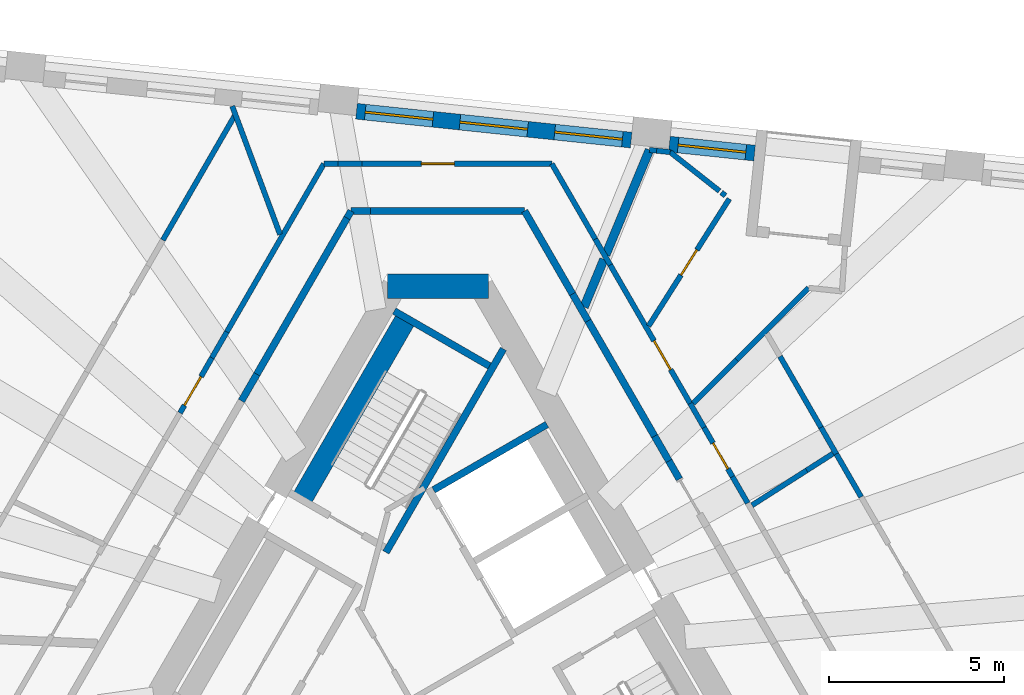
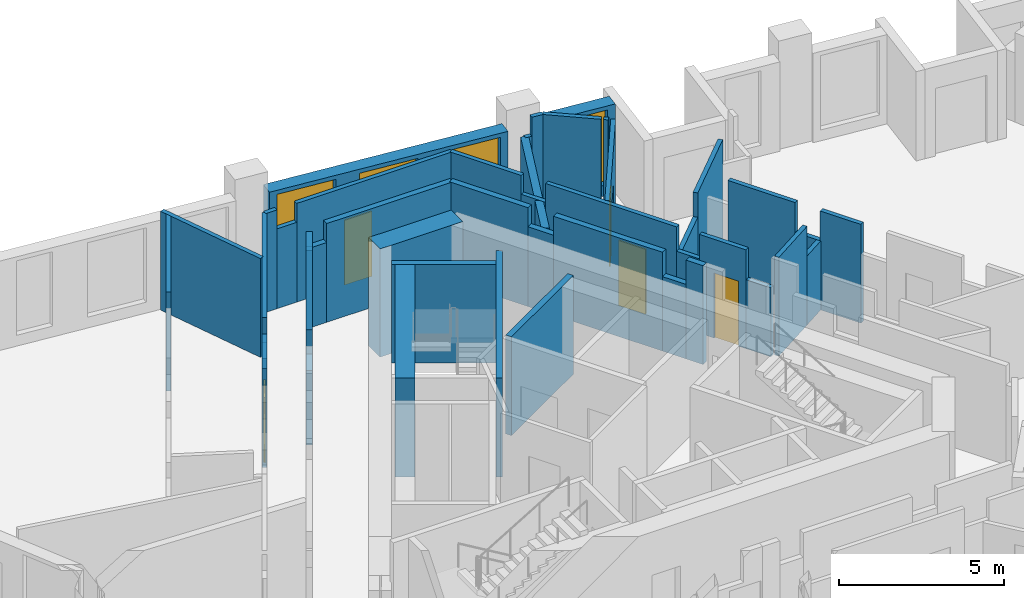
# One storey, part 7 of 11: 45 walls, 5 doors, 4 windows, 9 openings.
"""IFC4 building model written with IfcOpenShell, lengths in metres."""

import ifcopenshell
import ifcopenshell.guid

model = None  # the IFC model being written
_history = None  # IfcOwnerHistory: only IFC2X3 demands one
_inside = {}  # id of a spatial element -> (the spatial element, [elements in it])
_under = {}  # id of a project, library or spatial element -> (it, [spatial elements below it])
_declared = {}  # id of a project -> (the project, [libraries it declares])
_typed = {}  # id of a type object -> (the type object, [elements of that type])
_made_of = {}  # id of a material, layer set ... -> (it, [elements and type objects made of it])


def new_model(schema):
    """Start an empty IFC model of exactly this schema.

    Asked for "IFC4X3", IfcOpenShell would pick the latest addendum, in which some entities
    have other attributes; the version numbers below select the first issue.
    IFC2X3 requires an IfcOwnerHistory on every rooted entity: one is made here for all.
    """
    global model, _history
    if schema == "IFC4X3":
        model = ifcopenshell.file(schema_version=(4, 3, 0, 0))
    else:
        model = ifcopenshell.file(schema=schema)
    _inside.clear()
    _under.clear()
    _declared.clear()
    _typed.clear()
    _made_of.clear()
    _history = None
    if model.schema == "IFC2X3":
        org = make("IfcOrganization", Name="unknown")
        user = make(
            "IfcPersonAndOrganization",
            ThePerson=make("IfcPerson", FamilyName="unknown"),
            TheOrganization=org,
        )
        app = make(
            "IfcApplication",
            ApplicationDeveloper=org,
            Version="unknown",
            ApplicationFullName="unknown",
            ApplicationIdentifier="unknown",
        )
        _history = make(
            "IfcOwnerHistory",
            OwningUser=user,
            OwningApplication=app,
            ChangeAction="ADDED",
            CreationDate=0,
        )
    return model


def make(cls, **values):
    """One entity of the class cls with the attributes given. An attribute that is None is left unset."""
    return model.create_entity(
        cls, **{name: value for name, value in values.items() if value is not None}
    )


def rooted(cls, **values):
    """An entity with a GlobalId (a new one), such as an element, a storey or a relation."""
    return make(cls, GlobalId=ifcopenshell.guid.new(), OwnerHistory=_history, **values)


def si_unit(unit_type, name, prefix=None):
    """IfcSIUnit, for example si_unit("LENGTHUNIT", "METRE", prefix="MILLI")."""
    return make("IfcSIUnit", UnitType=unit_type, Prefix=prefix, Name=name)


def assignment(units):
    """IfcUnitAssignment: the units of a project."""
    return None if units is None else make("IfcUnitAssignment", Units=units)


def point(xyz):
    """IfcCartesianPoint."""
    return None if xyz is None else make("IfcCartesianPoint", Coordinates=xyz)


def direction(xyz):
    """IfcDirection."""
    return None if xyz is None else make("IfcDirection", DirectionRatios=xyz)


def frame(location, z_axis=None, x_axis=None):
    """IfcAxis2Placement3D, a coordinate frame: its origin and axes. An axis left out is left unset."""
    return make(
        "IfcAxis2Placement3D",
        Location=point(location),
        Axis=direction(z_axis),
        RefDirection=direction(x_axis),
    )


def frame_2d(location, x_axis=None):
    """IfcAxis2Placement2D, a coordinate frame in the plane: its origin and x axis."""
    return make(
        "IfcAxis2Placement2D", Location=point(location), RefDirection=direction(x_axis)
    )


def origin():
    """The frame at (0, 0, 0) with its axes left unset."""
    return frame((0.0, 0.0, 0.0))


def place(relative_to, where):
    """IfcLocalPlacement: puts the frame where relative to a parent placement (None: the world)."""
    return make(
        "IfcLocalPlacement", PlacementRelTo=relative_to, RelativePlacement=where
    )


def context(
    kind, dimensions, precision=None, world=None, true_north=None, identifier=None
):
    """IfcGeometricRepresentationContext, for example the 3D "Model" context."""
    return make(
        "IfcGeometricRepresentationContext",
        ContextIdentifier=identifier,
        ContextType=kind,
        CoordinateSpaceDimension=dimensions,
        Precision=precision,
        WorldCoordinateSystem=world,
        TrueNorth=true_north,
    )


def subcontext(parent, identifier, kind, view, scale=None):
    """IfcGeometricRepresentationSubContext, for example "Body" below "Model"."""
    return make(
        "IfcGeometricRepresentationSubContext",
        ContextIdentifier=identifier,
        ContextType=kind,
        ParentContext=parent,
        TargetScale=scale,
        TargetView=view,
    )


def project(units=None, contexts=None):
    """IfcProject with its units and contexts."""
    return rooted(
        "IfcProject",
        Name="project",
        RepresentationContexts=contexts,
        UnitsInContext=assignment(units),
    )


def spatial(cls, under=None, at=None, **own):
    """A site, building, storey or space (cls), placed at a placement, below another one or the project."""
    s = rooted(cls, ObjectPlacement=at, **own)
    if under is not None:
        _under.setdefault(under.id(), (under, []))[1].append(s)
    return s


def profile(cls, at=None, kind="AREA", **sizes):
    """A parametric profile (cls). Its sizes go by their IFC names, for example OverallWidth=200.0."""
    return make(cls, ProfileType=kind, Position=at, **sizes)


def rectangle(**sizes):
    """IfcRectangleProfileDef."""
    return profile("IfcRectangleProfileDef", **sizes)


def extrude(swept, where, along, depth):
    """IfcExtrudedAreaSolid: the profile swept, set in the frame where, extruded along a direction by depth."""
    return make(
        "IfcExtrudedAreaSolid",
        SweptArea=swept,
        Position=where,
        ExtrudedDirection=direction(along),
        Depth=depth,
    )


def shape(context_of_items, identifier, shape_type, items):
    """IfcShapeRepresentation: the items that make up one representation, for example the "Body"."""
    return make(
        "IfcShapeRepresentation",
        ContextOfItems=context_of_items,
        RepresentationIdentifier=identifier,
        RepresentationType=shape_type,
        Items=items,
    )


def material(Name=None, Category=None):
    """IfcMaterial."""
    return make("IfcMaterial", Name=Name, Category=Category)


def layer(
    of_material, thickness, ventilated=None, Name=None, Category=None, Priority=None
):
    """IfcMaterialLayer: one layer of a wall or slab, of a material (None: an air gap)."""
    return make(
        "IfcMaterialLayer",
        Material=of_material,
        LayerThickness=thickness,
        IsVentilated=ventilated,
        Name=Name,
        Category=Category,
        Priority=Priority,
    )


def layer_set(layers, Name=None):
    """IfcMaterialLayerSet."""
    return make("IfcMaterialLayerSet", MaterialLayers=layers, LayerSetName=Name)


def made_of(thing, what):
    """Note that an element or type object is made of a material, layer set ...; save() writes the relation."""
    if what is not None:
        _made_of.setdefault(what.id(), (what, []))[1].append(thing)
    return thing


def type_object(cls, material=None, **own):
    """A type object (cls), such as IfcWallType, which elements share."""
    return made_of(rooted(cls, **own), material)


def element(
    cls,
    number,
    at=None,
    inside=None,
    cuts=None,
    type_object=None,
    material=None,
    context=None,
    identifier="Body",
    shape_type=None,
    held_by="IfcProductDefinitionShape",
    body=None,
    shapes=None,
    **own,
):
    """One element of the class cls, such as IfcWall. Its Tag is "e" and its number.

    at: its placement. inside: the storey or other place that contains it. cuts: it is an
    opening in that element (IfcRelVoidsElement). A single representation is given by context,
    identifier, shape_type and body (its items); several are given by shapes. held_by: the class
    of the entity that holds the representations. save() writes the other relations.
    """
    e = rooted(cls, Tag="e%d" % number, ObjectPlacement=at, **own)
    if body is not None:
        shapes = [shape(context, identifier, shape_type, body)]
    if shapes is not None:
        e.Representation = make(held_by, Representations=shapes)
    if inside is not None:
        _inside.setdefault(inside.id(), (inside, []))[1].append(e)
    if cuts is not None:
        rooted(
            "IfcRelVoidsElement", RelatingBuildingElement=cuts, RelatedOpeningElement=e
        )
    if type_object is not None:
        _typed.setdefault(type_object.id(), (type_object, []))[1].append(e)
    return made_of(e, material)


def fill(opening, filler):
    """IfcRelFillsElement: the door or window that sits in an opening."""
    return rooted(
        "IfcRelFillsElement",
        RelatingOpeningElement=opening,
        RelatedBuildingElement=filler,
    )


def aggregate(whole, parts):
    """IfcRelAggregates: a whole, such as a stair, and the parts it consists of."""
    return rooted("IfcRelAggregates", RelatingObject=whole, RelatedObjects=parts)


def save(model, path):
    """Write the relations noted so far, then the file.

    IfcRelAggregates (storeys below a building ...), IfcRelContainedInSpatialStructure (elements
    in a storey), IfcRelDefinesByType, IfcRelAssociatesMaterial and IfcRelDeclares: one each for
    every whole, place, type object, material and project.
    """
    for whole, parts in _under.values():
        aggregate(whole, parts)
    for where, things in _inside.values():
        rooted(
            "IfcRelContainedInSpatialStructure",
            RelatedElements=things,
            RelatingStructure=where,
        )
    for kind, things in _typed.values():
        rooted("IfcRelDefinesByType", RelatedObjects=things, RelatingType=kind)
    for what, things in _made_of.values():
        rooted("IfcRelAssociatesMaterial", RelatedObjects=things, RelatingMaterial=what)
    for by, libraries in _declared.values():
        rooted("IfcRelDeclares", RelatingContext=by, RelatedDefinitions=libraries)
    model.write(path)


model = new_model("IFC4")

# Units and contexts
model_context = context("Model", 3, precision=1e-05, world=origin(), true_north=direction((0.0, 1.0)))
body_context = subcontext(model_context, "Body", "Model", "MODEL_VIEW")
ifc_project = project(units=[si_unit("LENGTHUNIT", "METRE"), si_unit("AREAUNIT", "SQUARE_METRE"), si_unit("VOLUMEUNIT", "CUBIC_METRE"), si_unit("PLANEANGLEUNIT", "RADIAN"), si_unit("MASSUNIT", "GRAM", prefix="KILO")], contexts=[model_context])

# Site, building, storey
site_placement = place(None, origin())
site = spatial("IfcSite", under=ifc_project, at=site_placement, CompositionType="ELEMENT")
building_placement = place(site_placement, origin())
building = spatial("IfcBuilding", under=site, at=building_placement, Name="Tramontana Tower", CompositionType="ELEMENT")
storey_placement = place(building_placement, frame((0.0, 0.0, 261.199951171875)))
storey = spatial("IfcBuildingStorey", under=building, at=storey_placement, Name="L61", CompositionType="ELEMENT", Elevation=261.199951171875)

# Walls
ifc_material_1 = material(Name="Concrete 70 MPa", Category="concrete")
ifc_layer_1 = layer(ifc_material_1, 0.699951171875)
ifc_layer_set_1 = layer_set([ifc_layer_1], Name="Core wall 700 70 MPa")
wall_type_1 = type_object("IfcWallType", Name="Core wall 700 70 MPa", PredefinedType="SHEAR", material=ifc_layer_set_1)
wall_1_placement = place(storey_placement, frame((1.443359375, 10.64990234375, 0.0), z_axis=(0.0, 0.0, 1.0), x_axis=(-1.0, 0.0, 0.0)))
element("IfcWall", 1, at=wall_1_placement, inside=storey, type_object=wall_type_1, Name="Core wall C0 L61", PredefinedType="SHEAR", context=body_context, shape_type="SweptSolid", body=[
    extrude(rectangle(XDim=2.88671875, YDim=0.699951171875, at=frame_2d((1.443359375, 0.0))), origin(), (0.0, 0.0, 1.0), 4.0),
])
ifc_material_2 = material(Name="Blockwork", Category="masonry")
ifc_layer_2 = layer(ifc_material_2, 0.199951171875)
ifc_layer_set_2 = layer_set([ifc_layer_2], Name="ENTRY WALL 200")
wall_type_2 = type_object("IfcWallType", Name="ENTRY WALL 200", PredefinedType="SOLIDWALL", material=ifc_layer_set_2)
wall_2_placement = place(storey_placement, frame((-5.622314453125, 7.362060546875, 0.0), z_axis=(0.0, 0.0, 1.0), x_axis=(0.500121072013, 0.86595549154, 0.0)))
element("IfcWall", 2, at=wall_2_placement, inside=storey, type_object=wall_type_2, Name="Wall v62-ew3-9", PredefinedType="SOLIDWALL", context=body_context, shape_type="SweptSolid", body=[
    extrude(rectangle(XDim=0.883544921875, YDim=0.199951171875, at=frame_2d((0.44189453125, 0.0))), origin(), (0.0, 0.0, 1.0), 2.75),
])
wall_3_placement = place(storey_placement, frame((-5.180419921875, 8.127197265625, 0.0), z_axis=(0.0, 0.0, 1.0), x_axis=(0.499995433041, 0.866028040503, 0.0)))
element("IfcWall", 3, at=wall_3_placement, inside=storey, type_object=wall_type_2, Name="Wall v62-ew3-10", PredefinedType="SOLIDWALL", context=body_context, shape_type="SweptSolid", body=[
    extrude(rectangle(XDim=5.1611328125, YDim=0.199951171875, at=frame_2d((2.58056640625, 0.0))), origin(), (0.0, 0.0, 1.0), 3.650146484375),
])
wall_4_placement = place(storey_placement, frame((-2.599853515625, 12.596923828125, 0.0), z_axis=(0.0, 0.0, 1.0), x_axis=(0.49972245349, 0.866185586049, 0.0)))
element("IfcWall", 4, at=wall_4_placement, inside=storey, type_object=wall_type_2, Name="Wall v62-ew3-11", PredefinedType="SOLIDWALL", context=body_context, shape_type="SweptSolid", body=[
    extrude(rectangle(XDim=0.234619140625, YDim=0.199951171875, at=frame_2d((0.1171875, 0.0))), origin(), (0.0, 0.0, 1.0), 2.949951171875),
])
wall_5_placement = place(storey_placement, frame((-2.482666015625, 12.800048828125, 0.0), z_axis=(0.0, 0.0, 1.0), x_axis=(1.0, 0.0, 0.0)))
element("IfcWall", 5, at=wall_5_placement, inside=storey, type_object=wall_type_2, Name="Wall v62-ew4-0", PredefinedType="SOLIDWALL", context=body_context, shape_type="SweptSolid", body=[
    extrude(rectangle(XDim=0.5576171875, YDim=0.199951171875, at=frame_2d((0.27880859375, 0.0))), origin(), (0.0, 0.0, 1.0), 2.949951171875),
])
wall_6_placement = place(storey_placement, frame((-1.925048828125, 12.800048828125, 0.0), z_axis=(0.0, 0.0, 1.0), x_axis=(1.0, 0.0, 0.0)))
element("IfcWall", 6, at=wall_6_placement, inside=storey, type_object=wall_type_2, Name="Wall v62-ew4-1", PredefinedType="SOLIDWALL", context=body_context, shape_type="SweptSolid", body=[
    extrude(rectangle(XDim=4.40771484375, YDim=0.199951171875, at=frame_2d((2.203857421875, 0.0))), origin(), (0.0, 0.0, 1.0), 3.650146484375),
])
wall_7_placement = place(storey_placement, frame((2.482666015625, 12.800048828125, 0.0), z_axis=(0.0, 0.0, 1.0), x_axis=(0.499956000529, -0.8660508054, 0.0)))
element("IfcWall", 7, at=wall_7_placement, inside=storey, type_object=wall_type_2, Name="Wall v62-ew5-0", PredefinedType="SOLIDWALL", context=body_context, shape_type="SweptSolid", body=[
    extrude(rectangle(XDim=2.744873046875, YDim=0.199951171875, at=frame_2d((1.37255859375, 0.0))), origin(), (0.0, 0.0, 1.0), 3.650146484375),
])
wall_8_placement = place(storey_placement, frame((3.85498046875, 10.4228515625, 0.0), z_axis=(0.0, 0.0, 1.0), x_axis=(0.500135429527, -0.86594719939, 0.0)))
element("IfcWall", 8, at=wall_8_placement, inside=storey, type_object=wall_type_2, Name="Wall v62-ew5-1", PredefinedType="SOLIDWALL", context=body_context, shape_type="SweptSolid", body=[
    extrude(rectangle(XDim=0.886962890625, YDim=0.199951171875, at=frame_2d((0.443359375, 0.0))), origin(), (0.0, 0.0, 1.0), 2.949951171875),
])
wall_9_placement = place(storey_placement, frame((4.298583984375, 9.65478515625, 0.0), z_axis=(0.0, 0.0, 1.0), x_axis=(0.499997905474, -0.866026613056, 0.0)))
element("IfcWall", 9, at=wall_9_placement, inside=storey, type_object=wall_type_2, Name="Wall v62-ew5-2", PredefinedType="SOLIDWALL", context=body_context, shape_type="SweptSolid", body=[
    extrude(rectangle(XDim=3.810546875, YDim=0.199951171875, at=frame_2d((1.9052734375, 0.0))), origin(), (0.0, 0.0, 1.0), 3.650146484375),
])
wall_10_placement = place(storey_placement, frame((6.203857421875, 6.354736328125, 0.0), z_axis=(0.0, 0.0, 1.0), x_axis=(0.499911126926, -0.866076708598, 0.0)))
element("IfcWall", 10, at=wall_10_placement, inside=storey, type_object=wall_type_2, Name="Wall v62-ew5-3", PredefinedType="SOLIDWALL", context=body_context, shape_type="SweptSolid", body=[
    extrude(rectangle(XDim=0.821533203125, YDim=0.199951171875, at=frame_2d((0.41064453125, 0.0))), origin(), (0.0, 0.0, 1.0), 2.75),
])
wall_11_placement = place(storey_placement, frame((6.614501953125, 5.643310546875, 0.0), z_axis=(0.0, 0.0, 1.0), x_axis=(0.500169019818, -0.865927798153, 0.0)))
element("IfcWall", 11, at=wall_11_placement, inside=storey, type_object=wall_type_2, Name="Wall v62-ew5-4", PredefinedType="SOLIDWALL", context=body_context, shape_type="SweptSolid", body=[
    extrude(rectangle(XDim=0.599365234375, YDim=0.199951171875, at=frame_2d((0.2998046875, 0.0))), origin(), (0.0, 0.0, 1.0), 3.650146484375),
])

# Wall, opening, window
ifc_material_3 = material(Name="Precast concrete 60 MPa", Category="concrete")
ifc_layer_3 = layer(ifc_material_3, 0.449951171875)
ifc_layer_set_3 = layer_set([ifc_layer_3], Name="Precast concrete 60 MPa, 450 mm")
wall_type_3 = type_object("IfcWallType", Name="EW1 Stone-faced precast wall 450", PredefinedType="SOLIDWALL", material=ifc_layer_set_3)
wall_12_placement = place(storey_placement, frame((9.06640625, 14.45654296875, 0.0), z_axis=(0.0, 0.0, 1.0), x_axis=(-0.994521805438, 0.10452931889, 0.0)))
wall_12 = element("IfcWall", 12, at=wall_12_placement, inside=storey, type_object=wall_type_3, Name="External wall L61 face 2 bay 2", PredefinedType="SOLIDWALL", context=body_context, shape_type="SweptSolid", body=[
    extrude(rectangle(XDim=2.452392578125, YDim=0.449951171875, at=frame_2d((1.22607421875, 0.0))), origin(), (0.0, 0.0, 1.0), 3.300048828125),
])
opening_1_placement = place(wall_12_placement, frame((0.251220703125, 0.0, 0.39990234375)))
opening_1 = element("IfcOpeningElement", 13, at=opening_1_placement, cuts=wall_12, Name="Opening M3", PredefinedType="OPENING", context=body_context, shape_type="SweptSolid", body=[
    extrude(rectangle(XDim=1.949951171875, YDim=2.75, at=frame_2d((0.97509765625, 1.375))), frame((0.0, 0.23486328125, 0.0), z_axis=(0.0, -1.0, 0.0), x_axis=(1.0, 0.0, 0.0)), (0.0, 0.0, 1.0), 0.469970703125),
])
ifc_material_4 = material(Name="Aluminum frame, double glazing unit", Category="aluminium")
window_type = type_object("IfcWindowType", Name="M3 Window 1.95 x 2.75", PartitioningType="SINGLE_PANEL", PredefinedType="WINDOW", material=ifc_material_4)
window_1_placement = place(opening_1_placement, origin())
window_1 = element("IfcWindow", 14, at=window_1_placement, inside=storey, type_object=window_type, Name="Window M3 L61 face 2 module 6", OverallHeight=2.75, OverallWidth=1.949951171875, PartitioningType="SINGLE_PANEL", PredefinedType="WINDOW", context=body_context, shape_type="SweptSolid", body=[
    extrude(rectangle(XDim=1.949951171875, YDim=2.75, at=frame_2d((0.97509765625, 1.375))), frame((0.0, 0.030029296875, 0.0), z_axis=(0.0, -1.0, 0.0), x_axis=(1.0, 0.0, 0.0)), (0.0, 0.0, 1.0), 0.06005859375),
])
fill(opening_1, window_1)

# Wall, openings, windows
wall_13_placement = place(storey_placement, frame((5.53369140625, 14.827880859375, 0.0), z_axis=(0.0, 0.0, 1.0), x_axis=(-0.994522865711, 0.104519230663, 0.0)))
wall_13 = element("IfcWall", 15, at=wall_13_placement, inside=storey, type_object=wall_type_3, Name="External wall L61 face 2 bay 3", PredefinedType="SOLIDWALL", context=body_context, shape_type="SweptSolid", body=[
    extrude(rectangle(XDim=7.90673828125, YDim=0.449951171875, at=frame_2d((3.953369140625, 0.0))), origin(), (0.0, 0.0, 1.0), 3.300048828125),
])
opening_2_placement = place(wall_13_placement, frame((0.251220703125, 0.0, 0.39990234375)))
opening_2 = element("IfcOpeningElement", 16, at=opening_2_placement, cuts=wall_13, Name="Opening M3", PredefinedType="OPENING", context=body_context, shape_type="SweptSolid", body=[
    extrude(rectangle(XDim=1.949951171875, YDim=2.75, at=frame_2d((0.97509765625, 1.375))), frame((0.0, 0.23486328125, 0.0), z_axis=(0.0, -1.0, 0.0), x_axis=(1.0, 0.0, 0.0)), (0.0, 0.0, 1.0), 0.469970703125),
])
opening_3_placement = place(wall_13_placement, frame((2.978271484375, 0.0, 0.39990234375)))
opening_3 = element("IfcOpeningElement", 17, at=opening_3_placement, cuts=wall_13, Name="Opening M3", PredefinedType="OPENING", context=body_context, shape_type="SweptSolid", body=[
    extrude(rectangle(XDim=1.949951171875, YDim=2.75, at=frame_2d((0.97509765625, 1.375))), frame((0.0, 0.23486328125, 0.0), z_axis=(0.0, -1.0, 0.0), x_axis=(1.0, 0.0, 0.0)), (0.0, 0.0, 1.0), 0.469970703125),
])
opening_4_placement = place(wall_13_placement, frame((5.70556640625, 0.0, 0.39990234375)))
opening_4 = element("IfcOpeningElement", 18, at=opening_4_placement, cuts=wall_13, Name="Opening M3", PredefinedType="OPENING", context=body_context, shape_type="SweptSolid", body=[
    extrude(rectangle(XDim=1.949951171875, YDim=2.75, at=frame_2d((0.97509765625, 1.375))), frame((0.0, 0.23486328125, 0.0), z_axis=(0.0, -1.0, 0.0), x_axis=(1.0, 0.0, 0.0)), (0.0, 0.0, 1.0), 0.469970703125),
])
window_2_placement = place(opening_2_placement, origin())
window_2 = element("IfcWindow", 19, at=window_2_placement, inside=storey, type_object=window_type, Name="Window M3 L61 face 2 module 7", OverallHeight=2.75, OverallWidth=1.949951171875, PartitioningType="SINGLE_PANEL", PredefinedType="WINDOW", context=body_context, shape_type="SweptSolid", body=[
    extrude(rectangle(XDim=1.949951171875, YDim=2.75, at=frame_2d((0.97509765625, 1.375))), frame((0.0, 0.030029296875, 0.0), z_axis=(0.0, -1.0, 0.0), x_axis=(1.0, 0.0, 0.0)), (0.0, 0.0, 1.0), 0.06005859375),
])
fill(opening_2, window_2)
window_3_placement = place(opening_3_placement, origin())
window_3 = element("IfcWindow", 20, at=window_3_placement, inside=storey, type_object=window_type, Name="Window M3 L61 face 2 module 8", OverallHeight=2.75, OverallWidth=1.949951171875, PartitioningType="SINGLE_PANEL", PredefinedType="WINDOW", context=body_context, shape_type="SweptSolid", body=[
    extrude(rectangle(XDim=1.949951171875, YDim=2.75, at=frame_2d((0.97509765625, 1.375))), frame((0.0, 0.030029296875, 0.0), z_axis=(0.0, -1.0, 0.0), x_axis=(1.0, 0.0, 0.0)), (0.0, 0.0, 1.0), 0.06005859375),
])
fill(opening_3, window_3)
window_4_placement = place(opening_4_placement, origin())
window_4 = element("IfcWindow", 21, at=window_4_placement, inside=storey, type_object=window_type, Name="Window M3 L61 face 2 module 9", OverallHeight=2.75, OverallWidth=1.949951171875, PartitioningType="SINGLE_PANEL", PredefinedType="WINDOW", context=body_context, shape_type="SweptSolid", body=[
    extrude(rectangle(XDim=1.949951171875, YDim=2.75, at=frame_2d((0.97509765625, 1.375))), frame((0.0, 0.030029296875, 0.0), z_axis=(0.0, -1.0, 0.0), x_axis=(1.0, 0.0, 0.0)), (0.0, 0.0, 1.0), 0.06005859375),
])
fill(opening_4, window_4)

# Wall, opening, door
ifc_material_5 = material(Name="Gypsum board partition")
ifc_layer_4 = layer(ifc_material_5, 0.14990234375)
ifc_layer_set_4 = layer_set([ifc_layer_4], Name="PARTITION 150")
wall_type_4 = type_object("IfcWallType", Name="PARTITION 150", PredefinedType="PARTITIONING", material=ifc_layer_set_4)
wall_14_placement = place(storey_placement, frame((-7.380126953125, 7.017333984375, 0.0), z_axis=(0.0, 0.0, 1.0), x_axis=(0.500012159746, 0.866018383238, 0.0)))
wall_14 = element("IfcWall", 22, at=wall_14_placement, inside=storey, type_object=wall_type_4, Name="Wall v62-pw00-8", PredefinedType="PARTITIONING", context=body_context, shape_type="SweptSolid", body=[
    extrude(rectangle(XDim=1.82373046875, YDim=0.14990234375, at=frame_2d((0.911865234375, 0.0))), origin(), (0.0, 0.0, 1.0), 3.650146484375),
])
opening_5_placement = place(wall_14_placement, frame((0.25, 0.0, 0.0)))
opening_5 = element("IfcOpeningElement", 23, at=opening_5_placement, cuts=wall_14, Name="Opening B6C-01", PredefinedType="OPENING", context=body_context, shape_type="SweptSolid", body=[
    extrude(rectangle(XDim=0.949951171875, YDim=2.39990234375, at=frame_2d((0.47509765625, 1.199951171875))), frame((0.0, 0.0849609375, 0.0), z_axis=(0.0, -1.0, 0.0), x_axis=(1.0, 0.0, 0.0)), (0.0, 0.0, 1.0), 0.169921875),
])
ifc_material_6 = material(Name="Painted timber", Category="wood")
door_type_1 = type_object("IfcDoorType", Name="DOOR ROOM 950", OperationType="SINGLE_SWING_LEFT", PredefinedType="DOOR", material=ifc_material_6)
door_1_placement = place(opening_5_placement, origin())
door_1 = element("IfcDoor", 24, at=door_1_placement, inside=storey, type_object=door_type_1, Name="Door B6C-01", OperationType="SINGLE_SWING_LEFT", OverallHeight=2.39990234375, OverallWidth=0.949951171875, PredefinedType="DOOR", context=body_context, shape_type="SweptSolid", body=[
    extrude(rectangle(XDim=0.949951171875, YDim=2.39990234375, at=frame_2d((0.47509765625, 1.199951171875))), frame((0.0, 0.02490234375, 0.0), z_axis=(0.0, -1.0, 0.0), x_axis=(1.0, 0.0, 0.0)), (0.0, 0.0, 1.0), 0.050048828125),
])
fill(opening_5, door_1)

# Walls
wall_15_placement = place(storey_placement, frame((-6.46826171875, 8.5966796875, 0.0), z_axis=(0.0, 0.0, 1.0), x_axis=(0.500035209441, 0.86600507465, 0.0)))
element("IfcWall", 25, at=wall_15_placement, inside=storey, type_object=wall_type_4, Name="Wall v62-pw00-9", PredefinedType="PARTITIONING", context=body_context, shape_type="SweptSolid", body=[
    extrude(rectangle(XDim=0.85595703125, YDim=0.14990234375, at=frame_2d((0.427978515625, 0.0))), origin(), (0.0, 0.0, 1.0), 2.75),
])
wall_16_placement = place(storey_placement, frame((-6.040283203125, 9.337890625, 0.0), z_axis=(0.0, 0.0, 1.0), x_axis=(0.500014044516, 0.866017295027, 0.0)))
element("IfcWall", 26, at=wall_16_placement, inside=storey, type_object=wall_type_4, Name="Wall v62-pw00-10", PredefinedType="PARTITIONING", context=body_context, shape_type="SweptSolid", body=[
    extrude(rectangle(XDim=5.556396484375, YDim=0.14990234375, at=frame_2d((2.7783203125, 0.0))), origin(), (0.0, 0.0, 1.0), 3.650146484375),
])
wall_17_placement = place(storey_placement, frame((-7.872314453125, 11.96484375, 0.0), z_axis=(0.0, 0.0, 1.0), x_axis=(0.500012835235, 0.866017993231, 0.0)))
element("IfcWall", 27, at=wall_17_placement, inside=storey, type_object=wall_type_4, Name="Wall v62-pw01-8", PredefinedType="PARTITIONING", context=body_context, shape_type="SweptSolid", body=[
    extrude(rectangle(XDim=4.1484375, YDim=0.14990234375, at=frame_2d((2.07421875, 0.0))), origin(), (0.0, 0.0, 1.0), 3.650146484375),
])
wall_18_placement = place(storey_placement, frame((-5.885986328125, 15.8017578125, 0.0), z_axis=(0.0, 0.0, 1.0), x_axis=(0.349035066204, -0.937109664105, 0.0)))
element("IfcWall", 28, at=wall_18_placement, inside=storey, type_object=wall_type_4, Name="Wall v62-pw09", PredefinedType="PARTITIONING", context=body_context, shape_type="SweptSolid", body=[
    extrude(rectangle(XDim=3.921875, YDim=0.14990234375, at=frame_2d((1.9609375, 0.0))), origin(), (0.0, 0.0, 1.0), 3.650146484375),
])
wall_19_placement = place(storey_placement, frame((-3.261962890625, 14.14990234375, 0.0), z_axis=(0.0, 0.0, 1.0), x_axis=(1.0, 0.0, 0.0)))
element("IfcWall", 29, at=wall_19_placement, inside=storey, type_object=wall_type_4, Name="Wall v62-pw10-0", PredefinedType="PARTITIONING", context=body_context, shape_type="SweptSolid", body=[
    extrude(rectangle(XDim=0.398193359375, YDim=0.14990234375, at=frame_2d((0.19921875, 0.0))), origin(), (0.0, 0.0, 1.0), 3.650146484375),
])
wall_20_placement = place(storey_placement, frame((-2.86376953125, 14.14990234375, 0.0), z_axis=(0.0, 0.0, 1.0), x_axis=(1.0, 0.0, 0.0)))
element("IfcWall", 30, at=wall_20_placement, inside=storey, type_object=wall_type_4, Name="Wall v62-pw10-1", PredefinedType="PARTITIONING", context=body_context, shape_type="SweptSolid", body=[
    extrude(rectangle(XDim=0.685546875, YDim=0.14990234375, at=frame_2d((0.3427734375, 0.0))), origin(), (0.0, 0.0, 1.0), 2.949951171875),
])

# Wall, opening, door
wall_21_placement = place(storey_placement, frame((3.261962890625, 14.14990234375, 0.0), z_axis=(0.0, 0.0, 1.0), x_axis=(-1.0, 0.0, 0.0)))
wall_21 = element("IfcWall", 31, at=wall_21_placement, inside=storey, type_object=wall_type_4, Name="Wall v62-pw10-2", PredefinedType="PARTITIONING", context=body_context, shape_type="SweptSolid", body=[
    extrude(rectangle(XDim=5.440185546875, YDim=0.14990234375, at=frame_2d((2.72021484375, 0.0))), origin(), (0.0, 0.0, 1.0), 3.650146484375),
])
opening_6_placement = place(wall_21_placement, frame((2.787109375, 0.0, 0.0)))
opening_6 = element("IfcOpeningElement", 32, at=opening_6_placement, cuts=wall_21, Name="Opening B6C-03", PredefinedType="OPENING", context=body_context, shape_type="SweptSolid", body=[
    extrude(rectangle(XDim=0.949951171875, YDim=2.39990234375, at=frame_2d((0.47509765625, 1.199951171875))), frame((0.0, 0.0849609375, 0.0), z_axis=(0.0, -1.0, 0.0), x_axis=(1.0, 0.0, 0.0)), (0.0, 0.0, 1.0), 0.169921875),
])
door_2_placement = place(opening_6_placement, origin())
door_2 = element("IfcDoor", 33, at=door_2_placement, inside=storey, type_object=door_type_1, Name="Door B6C-03", OperationType="SINGLE_SWING_LEFT", OverallHeight=2.39990234375, OverallWidth=0.949951171875, PredefinedType="DOOR", context=body_context, shape_type="SweptSolid", body=[
    extrude(rectangle(XDim=0.949951171875, YDim=2.39990234375, at=frame_2d((0.47509765625, 1.199951171875))), frame((0.0, 0.02490234375, 0.0), z_axis=(0.0, -1.0, 0.0), x_axis=(1.0, 0.0, 0.0)), (0.0, 0.0, 1.0), 0.050048828125),
])
fill(opening_6, door_2)

# Walls
wall_22_placement = place(storey_placement, frame((3.261962890625, 14.14990234375, 0.0), z_axis=(0.0, 0.0, 1.0), x_axis=(0.500042260233, -0.866001003452, 0.0)))
element("IfcWall", 34, at=wall_22_placement, inside=storey, type_object=wall_type_4, Name="Wall v62-pw15-0", PredefinedType="PARTITIONING", context=body_context, shape_type="SweptSolid", body=[
    extrude(rectangle(XDim=2.489013671875, YDim=0.14990234375, at=frame_2d((1.24462890625, 0.0))), origin(), (0.0, 0.0, 1.0), 3.650146484375),
])
wall_23_placement = place(storey_placement, frame((4.506591796875, 11.994384765625, 0.0), z_axis=(0.0, 0.0, 1.0), x_axis=(0.499944768143, -0.866057289563, 0.0)))
element("IfcWall", 35, at=wall_23_placement, inside=storey, type_object=wall_type_4, Name="Wall v62-pw15-1", PredefinedType="PARTITIONING", context=body_context, shape_type="SweptSolid", body=[
    extrude(rectangle(XDim=0.85546875, YDim=0.14990234375, at=frame_2d((0.427734375, 0.0))), origin(), (0.0, 0.0, 1.0), 2.949951171875),
])

# Wall, opening, door
wall_24_placement = place(storey_placement, frame((4.934326171875, 11.25341796875, 0.0), z_axis=(0.0, 0.0, 1.0), x_axis=(0.500001111708, -0.866024761939, 0.0)))
wall_24 = element("IfcWall", 36, at=wall_24_placement, inside=storey, type_object=wall_type_4, Name="Wall v62-pw15-2", PredefinedType="PARTITIONING", context=body_context, shape_type="SweptSolid", body=[
    extrude(rectangle(XDim=4.57568359375, YDim=0.14990234375, at=frame_2d((2.287841796875, 0.0))), origin(), (0.0, 0.0, 1.0), 3.650146484375),
])
opening_7_placement = place(wall_24_placement, frame((2.507080078125, 0.0, 0.0)))
opening_7 = element("IfcOpeningElement", 37, at=opening_7_placement, cuts=wall_24, Name="Opening B6C-14", PredefinedType="OPENING", context=body_context, shape_type="SweptSolid", body=[
    extrude(rectangle(XDim=0.949951171875, YDim=2.39990234375, at=frame_2d((0.47509765625, 1.199951171875))), frame((0.0, 0.0849609375, 0.0), z_axis=(0.0, -1.0, 0.0), x_axis=(1.0, 0.0, 0.0)), (0.0, 0.0, 1.0), 0.169921875),
])
door_3_placement = place(opening_7_placement, origin())
door_3 = element("IfcDoor", 38, at=door_3_placement, inside=storey, type_object=door_type_1, Name="Door B6C-14", OperationType="SINGLE_SWING_RIGHT", OverallHeight=2.39990234375, OverallWidth=0.949951171875, PredefinedType="DOOR", context=body_context, shape_type="SweptSolid", body=[
    extrude(rectangle(XDim=0.949951171875, YDim=2.39990234375, at=frame_2d((0.47509765625, 1.199951171875))), frame((0.0, 0.02490234375, 0.0), z_axis=(0.0, -1.0, 0.0), x_axis=(1.0, 0.0, 0.0)), (0.0, 0.0, 1.0), 0.050048828125),
])
fill(opening_7, door_3)

# Wall
wall_25_placement = place(storey_placement, frame((7.22216796875, 7.290771484375, 0.0), z_axis=(0.0, 0.0, 1.0), x_axis=(0.500032254052, -0.866006781098, 0.0)))
element("IfcWall", 39, at=wall_25_placement, inside=storey, type_object=wall_type_4, Name="Wall v62-pw15-3", PredefinedType="PARTITIONING", context=body_context, shape_type="SweptSolid", body=[
    extrude(rectangle(XDim=0.7958984375, YDim=0.14990234375, at=frame_2d((0.39794921875, 0.0))), origin(), (0.0, 0.0, 1.0), 2.75),
])

# Wall, opening, door
wall_26_placement = place(storey_placement, frame((7.6201171875, 6.6015625, 0.0), z_axis=(0.0, 0.0, 1.0), x_axis=(0.499982393232, -0.866035568818, 0.0)))
wall_26 = element("IfcWall", 40, at=wall_26_placement, inside=storey, type_object=wall_type_4, Name="Wall v62-pw15-4", PredefinedType="PARTITIONING", context=body_context, shape_type="SweptSolid", body=[
    extrude(rectangle(XDim=1.6259765625, YDim=0.14990234375, at=frame_2d((0.81298828125, 0.0))), origin(), (0.0, 0.0, 1.0), 3.650146484375),
])
opening_8_placement = place(wall_26_placement, frame((0.5146484375, 0.0, 0.0)))
opening_8 = element("IfcOpeningElement", 41, at=opening_8_placement, cuts=wall_26, Name="Opening B6C-12", PredefinedType="OPENING", context=body_context, shape_type="SweptSolid", body=[
    extrude(rectangle(XDim=0.85009765625, YDim=2.39990234375, at=frame_2d((0.425048828125, 1.199951171875))), frame((0.0, 0.0849609375, 0.0), z_axis=(0.0, -1.0, 0.0), x_axis=(1.0, 0.0, 0.0)), (0.0, 0.0, 1.0), 0.169921875),
])
ifc_material_7 = material(Name="Painted timber", Category="wood")
door_type_2 = type_object("IfcDoorType", Name="DOOR BATH 850", OperationType="SINGLE_SWING_LEFT", PredefinedType="DOOR", material=ifc_material_7)
door_4_placement = place(opening_8_placement, origin())
door_4 = element("IfcDoor", 42, at=door_4_placement, inside=storey, type_object=door_type_2, Name="Door B6C-12", OperationType="SINGLE_SWING_RIGHT", OverallHeight=2.39990234375, OverallWidth=0.85009765625, PredefinedType="DOOR", context=body_context, shape_type="SweptSolid", body=[
    extrude(rectangle(XDim=0.85009765625, YDim=2.39990234375, at=frame_2d((0.425048828125, 1.199951171875))), frame((0.0, 0.02490234375, 0.0), z_axis=(0.0, -1.0, 0.0), x_axis=(1.0, 0.0, 0.0)), (0.0, 0.0, 1.0), 0.050048828125),
])
fill(opening_8, door_4)

# Walls
wall_27_placement = place(storey_placement, frame((8.43310546875, 5.193359375, 0.0), z_axis=(0.0, 0.0, 1.0), x_axis=(0.499980071345, -0.866036909293, 0.0)))
element("IfcWall", 43, at=wall_27_placement, inside=storey, type_object=wall_type_4, Name="Wall v62-pw15-5", PredefinedType="PARTITIONING", context=body_context, shape_type="SweptSolid", body=[
    extrude(rectangle(XDim=0.875, YDim=0.14990234375, at=frame_2d((0.4375, 0.0))), origin(), (0.0, 0.0, 1.0), 2.550048828125),
])
wall_28_placement = place(storey_placement, frame((6.650146484375, 14.48388671875, 0.0), z_axis=(0.0, 0.0, 1.0), x_axis=(0.785056780216, -0.61942380632, 0.0)))
element("IfcWall", 44, at=wall_28_placement, inside=storey, type_object=wall_type_4, Name="Wall v62-pw22", PredefinedType="PARTITIONING", context=body_context, shape_type="SweptSolid", body=[
    extrude(rectangle(XDim=1.79541015625, YDim=0.14990234375, at=frame_2d((0.897705078125, 0.0))), origin(), (0.0, 0.0, 1.0), 3.650146484375),
])
wall_29_placement = place(storey_placement, frame((7.3076171875, 7.293212890625, 0.0), z_axis=(0.0, 0.0, 1.0), x_axis=(0.70779886915, 0.706414015171, 0.0)))
element("IfcWall", 45, at=wall_29_placement, inside=storey, type_object=wall_type_4, Name="Wall v62-pw23-0", PredefinedType="PARTITIONING", context=body_context, shape_type="SweptSolid", body=[
    extrude(rectangle(XDim=1.762939453125, YDim=0.14990234375, at=frame_2d((0.88134765625, 0.0))), origin(), (0.0, 0.0, 1.0), 2.75),
])
wall_30_placement = place(storey_placement, frame((8.555419921875, 8.53857421875, 0.0), z_axis=(0.0, 0.0, 1.0), x_axis=(0.707776468702, 0.706436458821, 0.0)))
element("IfcWall", 46, at=wall_30_placement, inside=storey, type_object=wall_type_4, Name="Wall v62-pw23-1", PredefinedType="PARTITIONING", context=body_context, shape_type="SweptSolid", body=[
    extrude(rectangle(XDim=2.9150390625, YDim=0.14990234375, at=frame_2d((1.45751953125, 0.0))), origin(), (0.0, 0.0, 1.0), 3.650146484375),
])
wall_31_placement = place(storey_placement, frame((8.114501953125, 13.32861328125, 0.0), z_axis=(0.0, 0.0, 1.0), x_axis=(0.784713942006, -0.619858071837, 0.0)))
element("IfcWall", 47, at=wall_31_placement, inside=storey, type_object=wall_type_4, Name="Wall v62-pw24", PredefinedType="PARTITIONING", context=body_context, shape_type="SweptSolid", body=[
    extrude(rectangle(XDim=0.148193359375, YDim=0.14990234375, at=frame_2d((0.07421875, 0.0))), origin(), (0.0, 0.0, 1.0), 3.650146484375),
])

# Wall, opening, door
wall_32_placement = place(storey_placement, frame((6.03125, 9.503662109375, 0.0), z_axis=(0.0, 0.0, 1.0), x_axis=(0.535839175218, 0.844320068636, 0.0)))
wall_32 = element("IfcWall", 48, at=wall_32_placement, inside=storey, type_object=wall_type_4, Name="Wall v62-pw25", PredefinedType="PARTITIONING", context=body_context, shape_type="SweptSolid", body=[
    extrude(rectangle(XDim=4.315673828125, YDim=0.14990234375, at=frame_2d((2.15771484375, 0.0))), origin(), (0.0, 0.0, 1.0), 3.650146484375),
])
opening_9_placement = place(wall_32_placement, frame((1.73291015625, 0.0, 0.0)))
opening_9 = element("IfcOpeningElement", 49, at=opening_9_placement, cuts=wall_32, Name="Opening B6C-15", PredefinedType="OPENING", context=body_context, shape_type="SweptSolid", body=[
    extrude(rectangle(XDim=0.85009765625, YDim=2.39990234375, at=frame_2d((0.425048828125, 1.199951171875))), frame((0.0, 0.0849609375, 0.0), z_axis=(0.0, -1.0, 0.0), x_axis=(1.0, 0.0, 0.0)), (0.0, 0.0, 1.0), 0.169921875),
])
door_5_placement = place(opening_9_placement, origin())
door_5 = element("IfcDoor", 50, at=door_5_placement, inside=storey, type_object=door_type_2, Name="Door B6C-15", OperationType="SINGLE_SWING_LEFT", OverallHeight=2.39990234375, OverallWidth=0.85009765625, PredefinedType="DOOR", context=body_context, shape_type="SweptSolid", body=[
    extrude(rectangle(XDim=0.85009765625, YDim=2.39990234375, at=frame_2d((0.425048828125, 1.199951171875))), frame((0.0, 0.02490234375, 0.0), z_axis=(0.0, -1.0, 0.0), x_axis=(1.0, 0.0, 0.0)), (0.0, 0.0, 1.0), 0.050048828125),
])
fill(opening_9, door_5)

# Walls
wall_33_placement = place(storey_placement, frame((8.9921875, 4.375, 0.0), z_axis=(0.0, 0.0, 1.0), x_axis=(0.842891755545, 0.538083161262, 0.0)))
element("IfcWall", 51, at=wall_33_placement, inside=storey, type_object=wall_type_4, Name="Wall v62-pw26-0", PredefinedType="PARTITIONING", context=body_context, shape_type="SweptSolid", body=[
    extrude(rectangle(XDim=1.856689453125, YDim=0.14990234375, at=frame_2d((0.92822265625, 0.0))), origin(), (0.0, 0.0, 1.0), 3.650146484375),
])
wall_34_placement = place(storey_placement, frame((10.55712890625, 5.3740234375, 0.0), z_axis=(0.0, 0.0, 1.0), x_axis=(0.842909065223, 0.538056045189, 0.0)))
element("IfcWall", 52, at=wall_34_placement, inside=storey, type_object=wall_type_4, Name="Wall v62-pw26-1", PredefinedType="PARTITIONING", context=body_context, shape_type="SweptSolid", body=[
    extrude(rectangle(XDim=0.896240234375, YDim=0.14990234375, at=frame_2d((0.4482421875, 0.0))), origin(), (0.0, 0.0, 1.0), 2.550048828125),
])
wall_35_placement = place(storey_placement, frame((9.7939453125, 8.636474609375, 0.0), z_axis=(0.0, 0.0, 1.0), x_axis=(0.499998569178, -0.866026229868, 0.0)))
element("IfcWall", 53, at=wall_35_placement, inside=storey, type_object=wall_type_4, Name="Wall v62-pw27-1", PredefinedType="PARTITIONING", context=body_context, shape_type="SweptSolid", body=[
    extrude(rectangle(XDim=2.34716796875, YDim=0.14990234375, at=frame_2d((1.173583984375, 0.0))), origin(), (0.0, 0.0, 1.0), 3.650146484375),
])
wall_36_placement = place(storey_placement, frame((10.967529296875, 6.603759765625, 0.0), z_axis=(0.0, 0.0, 1.0), x_axis=(0.499859285417, -0.866106630146, 0.0)))
element("IfcWall", 54, at=wall_36_placement, inside=storey, type_object=wall_type_4, Name="Wall v62-pw27-2", PredefinedType="PARTITIONING", context=body_context, shape_type="SweptSolid", body=[
    extrude(rectangle(XDim=0.875244140625, YDim=0.14990234375, at=frame_2d((0.4375, 0.0))), origin(), (0.0, 0.0, 1.0), 2.550048828125),
])
wall_37_placement = place(storey_placement, frame((11.405029296875, 5.845703125, 0.0), z_axis=(0.0, 0.0, 1.0), x_axis=(0.500103350459, -0.865965726146, 0.0)))
element("IfcWall", 55, at=wall_37_placement, inside=storey, type_object=wall_type_4, Name="Wall v62-pw27-3", PredefinedType="PARTITIONING", context=body_context, shape_type="SweptSolid", body=[
    extrude(rectangle(XDim=1.424072265625, YDim=0.14990234375, at=frame_2d((0.7119140625, 0.0))), origin(), (0.0, 0.0, 1.0), 3.650146484375),
])
wall_38_placement = place(storey_placement, frame((6.05712890625, 14.546630859375, 0.0), z_axis=(0.0, 0.0, 1.0), x_axis=(0.994460058529, -0.105115136828, 0.0)))
element("IfcWall", 56, at=wall_38_placement, inside=storey, type_object=wall_type_4, Name="Wall v62-pwc00-0", PredefinedType="PARTITIONING", context=body_context, shape_type="SweptSolid", body=[
    extrude(rectangle(XDim=0.206787109375, YDim=0.14990234375, at=frame_2d((0.103515625, 0.0))), origin(), (0.0, 0.0, 1.0), 2.949951171875),
])
wall_39_placement = place(storey_placement, frame((6.2626953125, 14.52490234375, 0.0), z_axis=(0.0, 0.0, 1.0), x_axis=(0.994443476143, -0.105271899176, 0.0)))
element("IfcWall", 57, at=wall_39_placement, inside=storey, type_object=wall_type_4, Name="Wall v62-pwc00-1", PredefinedType="PARTITIONING", context=body_context, shape_type="SweptSolid", body=[
    extrude(rectangle(XDim=0.3896484375, YDim=0.14990234375, at=frame_2d((0.19482421875, 0.0))), origin(), (0.0, 0.0, 1.0), 3.650146484375),
])
ifc_material_8 = material(Name="Blockwork", Category="masonry")
ifc_layer_5 = layer(ifc_material_8, 0.25)
ifc_layer_set_5 = layer_set([ifc_layer_5], Name="PARTY WALL 250")
wall_type_5 = type_object("IfcWallType", Name="PARTY WALL 250", PredefinedType="SOLIDWALL", material=ifc_layer_set_5)
wall_40_placement = place(storey_placement, frame((4.753662109375, 11.41650390625, 0.0), z_axis=(0.0, 0.0, 1.0), x_axis=(-0.384416136092, -0.92315991806, 0.0)))
element("IfcWall", 58, at=wall_40_placement, inside=storey, type_object=wall_type_5, Name="Wall v62-pw20-0", PredefinedType="SOLIDWALL", context=body_context, shape_type="SweptSolid", body=[
    extrude(rectangle(XDim=1.479248046875, YDim=0.25, at=frame_2d((0.73974609375, 0.0))), origin(), (0.0, 0.0, 1.0), 2.949951171875),
])
wall_41_placement = place(storey_placement, frame((6.05712890625, 14.546630859375, 0.0), z_axis=(0.0, 0.0, 1.0), x_axis=(-0.384428778099, -0.923154653657, 0.0)))
element("IfcWall", 59, at=wall_41_placement, inside=storey, type_object=wall_type_5, Name="Wall v62-pw21-0", PredefinedType="SOLIDWALL", context=body_context, shape_type="SweptSolid", body=[
    extrude(rectangle(XDim=3.25146484375, YDim=0.25, at=frame_2d((1.625732421875, 0.0))), origin(), (0.0, 0.0, 1.0), 2.949951171875),
])
ifc_material_9 = material(Name="Concrete 70 MPa", Category="concrete")
ifc_layer_6 = layer(ifc_material_9, 0.60009765625)
ifc_layer_set_6 = layer_set([ifc_layer_6], Name="Concrete 70 MPa, 600 mm")
wall_type_6 = type_object("IfcWallType", Name="RC SHAFT BACK WALL 600", PredefinedType="SOLIDWALL", material=ifc_layer_set_6)
wall_42_placement = place(storey_placement, frame((-0.85302734375, 9.822509765625, 0.0), z_axis=(0.0, 0.0, 1.0), x_axis=(-0.500009909098, -0.866019682689, 0.0)))
element("IfcWall", 60, at=wall_42_placement, inside=storey, type_object=wall_type_6, Name="Wall st1-back", PredefinedType="SOLIDWALL", context=body_context, shape_type="SweptSolid", body=[
    extrude(rectangle(XDim=6.199951171875, YDim=0.60009765625, at=frame_2d((3.10009765625, 0.0))), origin(), (0.0, 0.0, 1.0), 3.650146484375),
])
ifc_material_10 = material(Name="Concrete 70 MPa", Category="concrete")
ifc_layer_7 = layer(ifc_material_10, 0.199951171875)
ifc_layer_set_7 = layer_set([ifc_layer_7], Name="Concrete 70 MPa, 200 mm")
wall_type_7 = type_object("IfcWallType", Name="RC STAIR AND SHAFT WALL 200", PredefinedType="SOLIDWALL", material=ifc_layer_set_7)
wall_43_placement = place(storey_placement, frame((1.87646484375, 8.85009765625, 0.0), z_axis=(0.0, 0.0, 1.0), x_axis=(-0.499998042495, -0.866026533947, 0.0)))
element("IfcWall", 61, at=wall_43_placement, inside=storey, type_object=wall_type_7, Name="Wall st1-front", PredefinedType="SOLIDWALL", context=body_context, shape_type="SweptSolid", body=[
    extrude(rectangle(XDim=6.72265625, YDim=0.199951171875, at=frame_2d((3.361328125, 0.0))), origin(), (0.0, 0.0, 1.0), 3.650146484375),
])
wall_44_placement = place(storey_placement, frame((1.478515625, 8.36083984375, 0.0), z_axis=(0.0, 0.0, 1.0), x_axis=(-0.866035871367, 0.499981869177, 0.0)))
element("IfcWall", 62, at=wall_44_placement, inside=storey, type_object=wall_type_7, Name="Wall st1-far", PredefinedType="SOLIDWALL", context=body_context, shape_type="SweptSolid", body=[
    extrude(rectangle(XDim=3.14990234375, YDim=0.199951171875, at=frame_2d((1.574951171875, 0.0))), origin(), (0.0, 0.0, 1.0), 3.650146484375),
])
wall_45_placement = place(storey_placement, frame((-0.123046875, 4.813232421875, 0.0), z_axis=(0.0, 0.0, 1.0), x_axis=(0.866022959057, 0.500004234368, 0.0)))
element("IfcWall", 63, at=wall_45_placement, inside=storey, type_object=wall_type_7, Name="Wall row2-side2", PredefinedType="SOLIDWALL", context=body_context, shape_type="SweptSolid", body=[
    extrude(rectangle(XDim=3.75, YDim=0.199951171875, at=frame_2d((1.875, 0.0))), origin(), (0.0, 0.0, 1.0), 3.650146484375),
])

save(model, "model.ifc")
